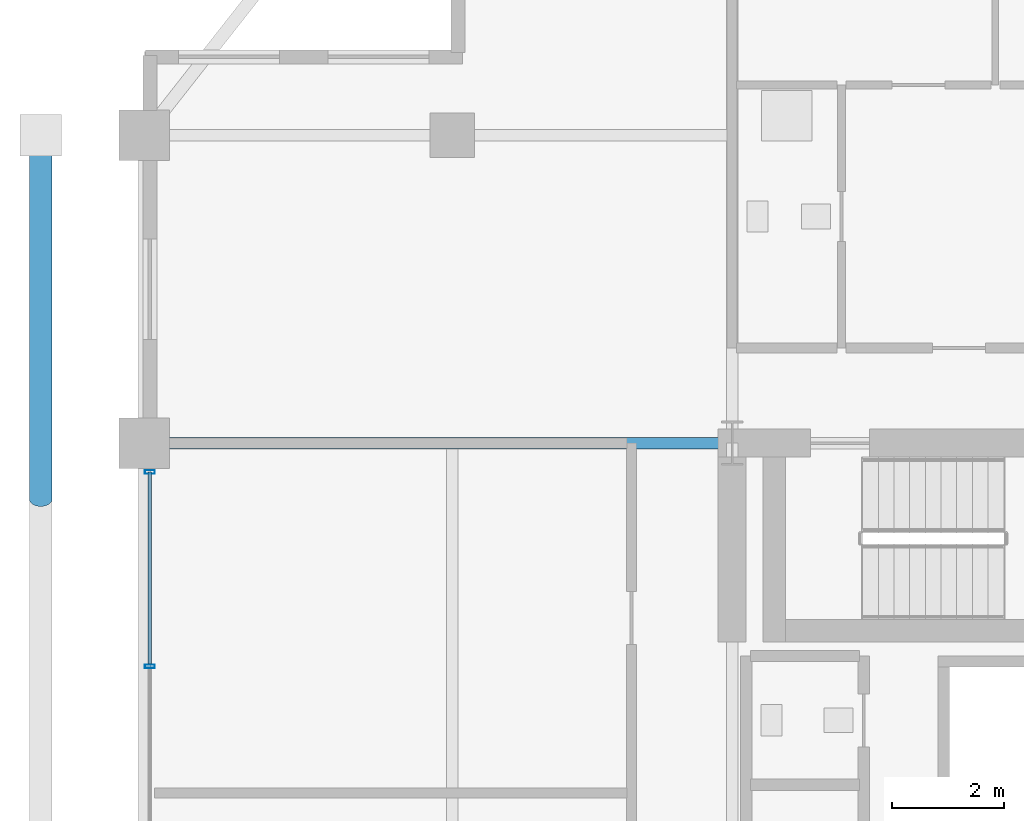
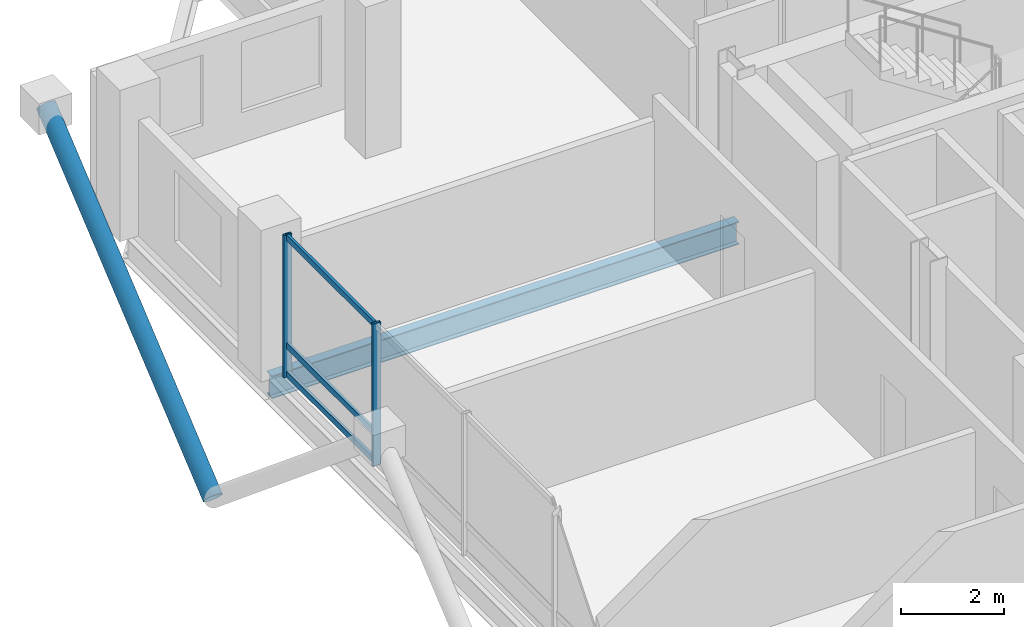
# One storey, part 9 of 23: 6 members, 1 beam, 1 element without a shape of its own.
"""IFC4 building model written with IfcOpenShell, lengths in metres."""

from ifc_helpers import new_model, si_unit, direction, frame, origin, origin_2d, place, context, subcontext, project, spatial, hollow_rectangle, hollow_circle, i_section, extrude, material, layer, layer_set, material_profile, profile_set, type_object, element, aggregate, save


model = new_model("IFC4")

# Units and contexts
model_context = context("Model", 3, precision=1e-05, world=origin(), true_north=direction((0.0, 1.0)))
body_context = subcontext(model_context, "Body", "Model", "MODEL_VIEW")
ifc_project = project(units=[si_unit("LENGTHUNIT", "METRE"), si_unit("AREAUNIT", "SQUARE_METRE"), si_unit("VOLUMEUNIT", "CUBIC_METRE"), si_unit("PLANEANGLEUNIT", "RADIAN"), si_unit("MASSUNIT", "GRAM", prefix="KILO")], contexts=[model_context])

# Site, building, storey
site_placement = place(None, origin())
site = spatial("IfcSite", under=ifc_project, at=site_placement, CompositionType="ELEMENT")
building_placement = place(site_placement, origin())
building = spatial("IfcBuilding", under=site, at=building_placement, Name="Barlavira Tower and Art Museum", CompositionType="ELEMENT")
storey_placement = place(building_placement, frame((0.0, 0.0, 279.89990234375)))
storey = spatial("IfcBuildingStorey", under=building, at=storey_placement, Name="L73", CompositionType="ELEMENT", Elevation=279.89990234375)

# Curtain wall, members
ifc_material_1 = material(Name="Low-iron coastal laminated glass", Category="glass")
ifc_layer = layer(ifc_material_1, 0.2099609375, Name="Low-iron coastal laminated glass")
ifc_layer_set = layer_set([ifc_layer], Name="Low-iron coastal laminated glass")
curtain_wall_type = type_object("IfcCurtainWallType", Name="Pale-Metal Unitised Curtain Wall Zone 4", PredefinedType="NOTDEFINED", material=ifc_layer_set)
curtain_wall_placement = place(storey_placement, origin())
curtain_wall = element("IfcCurtainWall", 1, at=curtain_wall_placement, inside=storey, type_object=curtain_wall_type, Name="L73 Curtain Wall CW4-L73-W-B3", PredefinedType="NOTDEFINED")
ifc_material_2 = material(Name="Pale anodised aluminium", Category="aluminium")
ifc_material_profile_1 = material_profile(ifc_material_2, hollow_rectangle(XDim=0.06494140625, YDim=0.179931640625, WallThickness=0.00390625, at=origin_2d()), Name="ALU-MULL 65x180x4")
ifc_profile_set_1 = profile_set([ifc_material_profile_1], Name="Pale anodised aluminium")
member_type_1 = type_object("IfcMemberType", Name="Curtain Wall Pale-Metal Mullion 65x180", PredefinedType="MULLION", material=ifc_profile_set_1)
member_1_placement = place(storey_placement, frame((-16.89990234375, 6.985107421875, 0.0), z_axis=(0.0, 0.0, 1.0), x_axis=(0.0, -1.0, 0.0)))
member_1 = element("IfcMember", 2, at=member_1_placement, type_object=member_type_1, Name="CW4-L73-W-B3 Mullion 0", PredefinedType="MULLION", context=body_context, shape_type="SweptSolid", body=[
    extrude(hollow_rectangle(XDim=0.06494140625, YDim=0.179931640625, WallThickness=0.00390625, at=origin_2d()), origin(), (0.0, 0.0, 1.0), 3.380126953125),
])
member_2_placement = place(storey_placement, frame((-16.89990234375, 3.514892578125, 0.0), z_axis=(0.0, 0.0, 1.0), x_axis=(0.0, -1.0, 0.0)))
member_2 = element("IfcMember", 3, at=member_2_placement, type_object=member_type_1, Name="CW4-L73-W-B3 Mullion 1", PredefinedType="MULLION", context=body_context, shape_type="SweptSolid", body=[
    extrude(hollow_rectangle(XDim=0.06494140625, YDim=0.179931640625, WallThickness=0.00390625, at=origin_2d()), origin(), (0.0, 0.0, 1.0), 3.380126953125),
])
ifc_material_profile_2 = material_profile(ifc_material_2, hollow_rectangle(XDim=0.06494140625, YDim=0.139892578125, WallThickness=0.00390625, at=origin_2d()), Name="ALU-TRAN 65x140x4")
ifc_profile_set_2 = profile_set([ifc_material_profile_2], Name="Pale anodised aluminium")
member_type_2 = type_object("IfcMemberType", Name="Curtain Wall Pale-Metal Transom 65x140", PredefinedType="USERDEFINED", material=ifc_profile_set_2)
member_3_placement = place(storey_placement, frame((-16.89990234375, 6.985107421875, 0.070068359375), z_axis=(0.0, -1.0, 0.0), x_axis=(1.0, 0.0, 0.0)))
member_3 = element("IfcMember", 4, at=member_3_placement, type_object=member_type_2, Name="CW4-L73-W-B3 Transom 0.1", ObjectType="TRANSOM", PredefinedType="USERDEFINED", context=body_context, shape_type="SweptSolid", body=[
    extrude(hollow_rectangle(XDim=0.06494140625, YDim=0.139892578125, WallThickness=0.00390625, at=origin_2d()), origin(), (0.0, 0.0, 1.0), 3.425048828125),
])
member_4_placement = place(storey_placement, frame((-16.89990234375, 6.985107421875, 0.744140625), z_axis=(0.0, -1.0, 0.0), x_axis=(1.0, 0.0, 0.0)))
member_4 = element("IfcMember", 5, at=member_4_placement, type_object=member_type_2, Name="CW4-L73-W-B3 Transom 0.2", ObjectType="TRANSOM", PredefinedType="USERDEFINED", context=body_context, shape_type="SweptSolid", body=[
    extrude(hollow_rectangle(XDim=0.06494140625, YDim=0.139892578125, WallThickness=0.00390625, at=origin_2d()), origin(), (0.0, 0.0, 1.0), 3.425048828125),
])
member_5_placement = place(storey_placement, frame((-16.89990234375, 6.985107421875, 3.31005859375), z_axis=(0.0, -1.0, 0.0), x_axis=(1.0, 0.0, 0.0)))
member_5 = element("IfcMember", 6, at=member_5_placement, type_object=member_type_2, Name="CW4-L73-W-B3 Transom 0.3", ObjectType="TRANSOM", PredefinedType="USERDEFINED", context=body_context, shape_type="SweptSolid", body=[
    extrude(hollow_rectangle(XDim=0.06494140625, YDim=0.139892578125, WallThickness=0.00390625, at=origin_2d()), origin(), (0.0, 0.0, 1.0), 3.425048828125),
])
aggregate(curtain_wall, [member_1, member_2, member_3, member_4, member_5])

# Member
ifc_material_3 = material(Name="Steel S355", Category="steel")
ifc_material_profile_3 = material_profile(ifc_material_3, hollow_circle(Radius=0.203125, WallThickness=0.01611328125, at=origin_2d()), Name="CHS 406.4x16.0")
ifc_profile_set_3 = profile_set([ifc_material_profile_3], Name="Steel S355")
member_type_3 = type_object("IfcMemberType", Name="Pale-Metal Exoskeleton Diagrid Tube CHS 406x16 Steel S355", PredefinedType="BRACE", material=ifc_profile_set_3)
member_6_placement = place(storey_placement, frame((-18.85009765625, 6.5, -1.919921875), z_axis=(0.0, 0.769196053329, 0.639012857104), x_axis=(-1.0, 0.0, 0.0)))
element("IfcMember", 7, at=member_6_placement, inside=storey, type_object=member_type_3, Name="L73 Exoskeleton Diagrid Tube W", PredefinedType="BRACE", context=body_context, shape_type="SweptSolid", body=[
    extrude(hollow_circle(Radius=0.203125, WallThickness=0.01611328125, at=origin_2d()), origin(), (0.0, 0.0, 1.0), 8.450439453125),
])

# Beam
ifc_material_profile_4 = material_profile(ifc_material_3, i_section(OverallWidth=0.2109375, OverallDepth=0.5390625, WebThickness=0.01171875, FlangeThickness=0.018798828125, at=origin_2d()), Name="W530x109.0")
ifc_profile_set_4 = profile_set([ifc_material_profile_4], Name="Steel S355")
beam_type = type_object("IfcBeamType", Name="Zone 3-4 Primary Floor Girder W530x109 Steel S355", PredefinedType="BEAM", material=ifc_profile_set_4)
beam_placement = place(storey_placement, frame((-17.0, 7.5, -0.489501953125), z_axis=(1.0, 0.0, 0.0), x_axis=(0.0, 1.0, 0.0)))
element("IfcBeam", 8, at=beam_placement, inside=storey, type_object=beam_type, Name="L73 Girder R-W2", PredefinedType="BEAM", context=body_context, shape_type="SweptSolid", body=[
    extrude(i_section(OverallWidth=0.2109375, OverallDepth=0.5390625, WebThickness=0.01171875, FlangeThickness=0.018798828125, at=origin_2d()), origin(), (0.0, 0.0, 1.0), 10.5),
])

save(model, "model.ifc")
